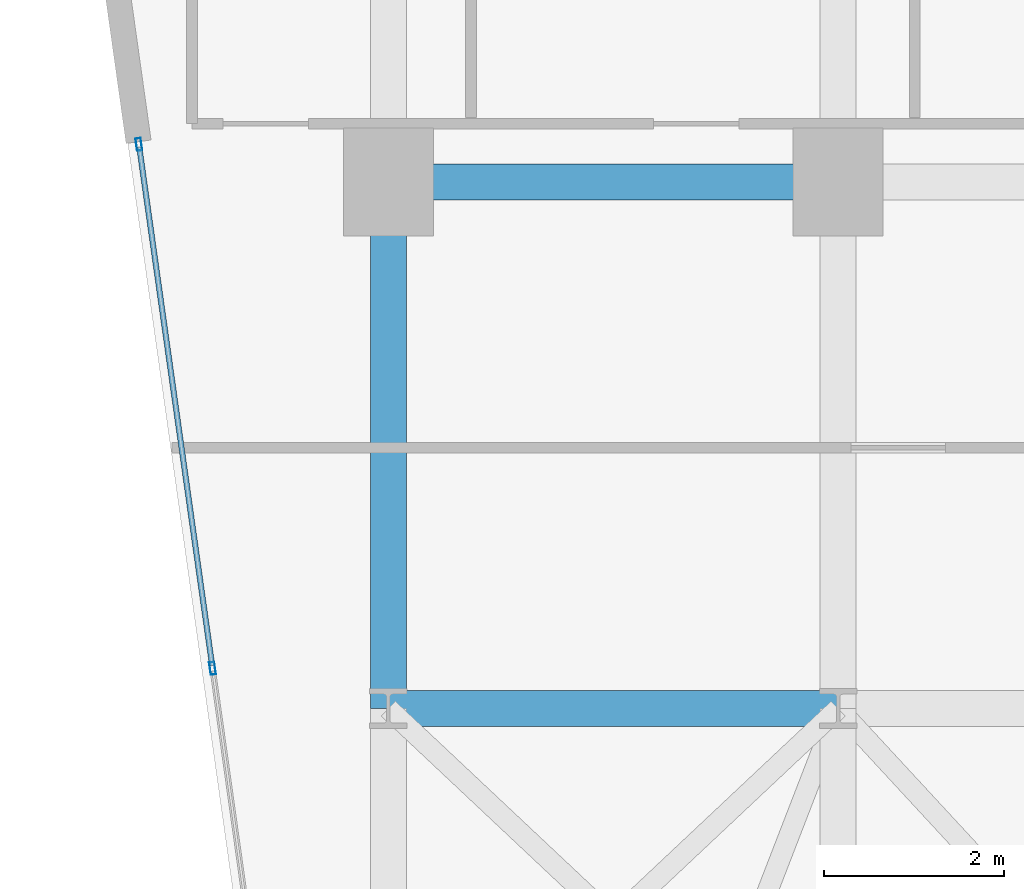
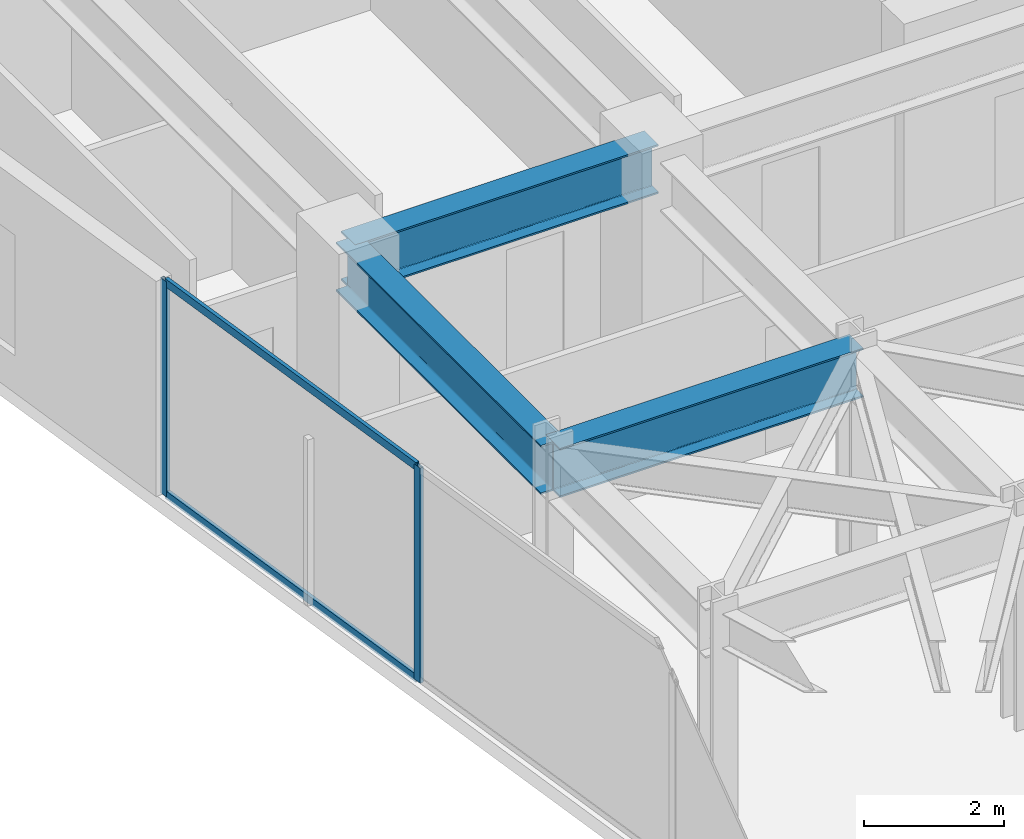
# One storey, part 11 of 26: 4 members, 3 beams, 1 element without a shape of its own.
"""IFC4 building model written with IfcOpenShell, lengths in metres."""

import ifcopenshell
import ifcopenshell.guid

model = None  # the IFC model being written
_history = None  # IfcOwnerHistory: only IFC2X3 demands one
_inside = {}  # id of a spatial element -> (the spatial element, [elements in it])
_under = {}  # id of a project, library or spatial element -> (it, [spatial elements below it])
_declared = {}  # id of a project -> (the project, [libraries it declares])
_typed = {}  # id of a type object -> (the type object, [elements of that type])
_made_of = {}  # id of a material, layer set ... -> (it, [elements and type objects made of it])


def new_model(schema):
    """Start an empty IFC model of exactly this schema.

    Asked for "IFC4X3", IfcOpenShell would pick the latest addendum, in which some entities
    have other attributes; the version numbers below select the first issue.
    IFC2X3 requires an IfcOwnerHistory on every rooted entity: one is made here for all.
    """
    global model, _history
    if schema == "IFC4X3":
        model = ifcopenshell.file(schema_version=(4, 3, 0, 0))
    else:
        model = ifcopenshell.file(schema=schema)
    _inside.clear()
    _under.clear()
    _declared.clear()
    _typed.clear()
    _made_of.clear()
    _history = None
    if model.schema == "IFC2X3":
        org = make("IfcOrganization", Name="unknown")
        user = make(
            "IfcPersonAndOrganization",
            ThePerson=make("IfcPerson", FamilyName="unknown"),
            TheOrganization=org,
        )
        app = make(
            "IfcApplication",
            ApplicationDeveloper=org,
            Version="unknown",
            ApplicationFullName="unknown",
            ApplicationIdentifier="unknown",
        )
        _history = make(
            "IfcOwnerHistory",
            OwningUser=user,
            OwningApplication=app,
            ChangeAction="ADDED",
            CreationDate=0,
        )
    return model


def make(cls, **values):
    """One entity of the class cls with the attributes given. An attribute that is None is left unset."""
    return model.create_entity(
        cls, **{name: value for name, value in values.items() if value is not None}
    )


def rooted(cls, **values):
    """An entity with a GlobalId (a new one), such as an element, a storey or a relation."""
    return make(cls, GlobalId=ifcopenshell.guid.new(), OwnerHistory=_history, **values)


def si_unit(unit_type, name, prefix=None):
    """IfcSIUnit, for example si_unit("LENGTHUNIT", "METRE", prefix="MILLI")."""
    return make("IfcSIUnit", UnitType=unit_type, Prefix=prefix, Name=name)


def assignment(units):
    """IfcUnitAssignment: the units of a project."""
    return None if units is None else make("IfcUnitAssignment", Units=units)


def point(xyz):
    """IfcCartesianPoint."""
    return None if xyz is None else make("IfcCartesianPoint", Coordinates=xyz)


def direction(xyz):
    """IfcDirection."""
    return None if xyz is None else make("IfcDirection", DirectionRatios=xyz)


def frame(location, z_axis=None, x_axis=None):
    """IfcAxis2Placement3D, a coordinate frame: its origin and axes. An axis left out is left unset."""
    return make(
        "IfcAxis2Placement3D",
        Location=point(location),
        Axis=direction(z_axis),
        RefDirection=direction(x_axis),
    )


def frame_2d(location, x_axis=None):
    """IfcAxis2Placement2D, a coordinate frame in the plane: its origin and x axis."""
    return make(
        "IfcAxis2Placement2D", Location=point(location), RefDirection=direction(x_axis)
    )


def origin():
    """The frame at (0, 0, 0) with its axes left unset."""
    return frame((0.0, 0.0, 0.0))


def origin_2d():
    """The frame at (0, 0) in the plane with its x axis left unset."""
    return frame_2d((0.0, 0.0))


def place(relative_to, where):
    """IfcLocalPlacement: puts the frame where relative to a parent placement (None: the world)."""
    return make(
        "IfcLocalPlacement", PlacementRelTo=relative_to, RelativePlacement=where
    )


def context(
    kind, dimensions, precision=None, world=None, true_north=None, identifier=None
):
    """IfcGeometricRepresentationContext, for example the 3D "Model" context."""
    return make(
        "IfcGeometricRepresentationContext",
        ContextIdentifier=identifier,
        ContextType=kind,
        CoordinateSpaceDimension=dimensions,
        Precision=precision,
        WorldCoordinateSystem=world,
        TrueNorth=true_north,
    )


def subcontext(parent, identifier, kind, view, scale=None):
    """IfcGeometricRepresentationSubContext, for example "Body" below "Model"."""
    return make(
        "IfcGeometricRepresentationSubContext",
        ContextIdentifier=identifier,
        ContextType=kind,
        ParentContext=parent,
        TargetScale=scale,
        TargetView=view,
    )


def project(units=None, contexts=None):
    """IfcProject with its units and contexts."""
    return rooted(
        "IfcProject",
        Name="project",
        RepresentationContexts=contexts,
        UnitsInContext=assignment(units),
    )


def spatial(cls, under=None, at=None, **own):
    """A site, building, storey or space (cls), placed at a placement, below another one or the project."""
    s = rooted(cls, ObjectPlacement=at, **own)
    if under is not None:
        _under.setdefault(under.id(), (under, []))[1].append(s)
    return s


def profile(cls, at=None, kind="AREA", **sizes):
    """A parametric profile (cls). Its sizes go by their IFC names, for example OverallWidth=200.0."""
    return make(cls, ProfileType=kind, Position=at, **sizes)


def hollow_rectangle(**sizes):
    """IfcRectangleHollowProfileDef."""
    return profile("IfcRectangleHollowProfileDef", **sizes)


def i_section(**sizes):
    """IfcIShapeProfileDef."""
    return profile("IfcIShapeProfileDef", **sizes)


def extrude(swept, where, along, depth):
    """IfcExtrudedAreaSolid: the profile swept, set in the frame where, extruded along a direction by depth."""
    return make(
        "IfcExtrudedAreaSolid",
        SweptArea=swept,
        Position=where,
        ExtrudedDirection=direction(along),
        Depth=depth,
    )


def shape(context_of_items, identifier, shape_type, items):
    """IfcShapeRepresentation: the items that make up one representation, for example the "Body"."""
    return make(
        "IfcShapeRepresentation",
        ContextOfItems=context_of_items,
        RepresentationIdentifier=identifier,
        RepresentationType=shape_type,
        Items=items,
    )


def material(Name=None, Category=None):
    """IfcMaterial."""
    return make("IfcMaterial", Name=Name, Category=Category)


def layer(
    of_material, thickness, ventilated=None, Name=None, Category=None, Priority=None
):
    """IfcMaterialLayer: one layer of a wall or slab, of a material (None: an air gap)."""
    return make(
        "IfcMaterialLayer",
        Material=of_material,
        LayerThickness=thickness,
        IsVentilated=ventilated,
        Name=Name,
        Category=Category,
        Priority=Priority,
    )


def layer_set(layers, Name=None):
    """IfcMaterialLayerSet."""
    return make("IfcMaterialLayerSet", MaterialLayers=layers, LayerSetName=Name)


def material_profile(
    of_material, cross_section, Name=None, Category=None, Priority=None
):
    """IfcMaterialProfile: a cross section and its material."""
    return make(
        "IfcMaterialProfile",
        Name=Name,
        Material=of_material,
        Profile=cross_section,
        Priority=Priority,
        Category=Category,
    )


def profile_set(profiles, Name=None, composite=None):
    """IfcMaterialProfileSet."""
    return make(
        "IfcMaterialProfileSet",
        Name=Name,
        MaterialProfiles=profiles,
        CompositeProfile=composite,
    )


def made_of(thing, what):
    """Note that an element or type object is made of a material, layer set ...; save() writes the relation."""
    if what is not None:
        _made_of.setdefault(what.id(), (what, []))[1].append(thing)
    return thing


def type_object(cls, material=None, **own):
    """A type object (cls), such as IfcWallType, which elements share."""
    return made_of(rooted(cls, **own), material)


def element(
    cls,
    number,
    at=None,
    inside=None,
    cuts=None,
    type_object=None,
    material=None,
    context=None,
    identifier="Body",
    shape_type=None,
    held_by="IfcProductDefinitionShape",
    body=None,
    shapes=None,
    **own,
):
    """One element of the class cls, such as IfcWall. Its Tag is "e" and its number.

    at: its placement. inside: the storey or other place that contains it. cuts: it is an
    opening in that element (IfcRelVoidsElement). A single representation is given by context,
    identifier, shape_type and body (its items); several are given by shapes. held_by: the class
    of the entity that holds the representations. save() writes the other relations.
    """
    e = rooted(cls, Tag="e%d" % number, ObjectPlacement=at, **own)
    if body is not None:
        shapes = [shape(context, identifier, shape_type, body)]
    if shapes is not None:
        e.Representation = make(held_by, Representations=shapes)
    if inside is not None:
        _inside.setdefault(inside.id(), (inside, []))[1].append(e)
    if cuts is not None:
        rooted(
            "IfcRelVoidsElement", RelatingBuildingElement=cuts, RelatedOpeningElement=e
        )
    if type_object is not None:
        _typed.setdefault(type_object.id(), (type_object, []))[1].append(e)
    return made_of(e, material)


def aggregate(whole, parts):
    """IfcRelAggregates: a whole, such as a stair, and the parts it consists of."""
    return rooted("IfcRelAggregates", RelatingObject=whole, RelatedObjects=parts)


def save(model, path):
    """Write the relations noted so far, then the file.

    IfcRelAggregates (storeys below a building ...), IfcRelContainedInSpatialStructure (elements
    in a storey), IfcRelDefinesByType, IfcRelAssociatesMaterial and IfcRelDeclares: one each for
    every whole, place, type object, material and project.
    """
    for whole, parts in _under.values():
        aggregate(whole, parts)
    for where, things in _inside.values():
        rooted(
            "IfcRelContainedInSpatialStructure",
            RelatedElements=things,
            RelatingStructure=where,
        )
    for kind, things in _typed.values():
        rooted("IfcRelDefinesByType", RelatedObjects=things, RelatingType=kind)
    for what, things in _made_of.values():
        rooted("IfcRelAssociatesMaterial", RelatedObjects=things, RelatingMaterial=what)
    for by, libraries in _declared.values():
        rooted("IfcRelDeclares", RelatingContext=by, RelatedDefinitions=libraries)
    model.write(path)


model = new_model("IFC4")

# Units and contexts
model_context = context("Model", 3, precision=1e-05, world=origin(), true_north=direction((0.0, 1.0)))
body_context = subcontext(model_context, "Body", "Model", "MODEL_VIEW")
ifc_project = project(units=[si_unit("LENGTHUNIT", "METRE"), si_unit("AREAUNIT", "SQUARE_METRE"), si_unit("VOLUMEUNIT", "CUBIC_METRE"), si_unit("PLANEANGLEUNIT", "RADIAN"), si_unit("MASSUNIT", "GRAM", prefix="KILO")], contexts=[model_context])

# Site, building, storey
site_placement = place(None, origin())
site = spatial("IfcSite", under=ifc_project, at=site_placement, CompositionType="ELEMENT")
building_placement = place(site_placement, origin())
building = spatial("IfcBuilding", under=site, at=building_placement, Name="Kravanh Interchange Tower", CompositionType="ELEMENT")
storey_placement = place(building_placement, frame((0.0, 0.0, 148.0)))
storey = spatial("IfcBuildingStorey", under=building, at=storey_placement, Name="L35", CompositionType="ELEMENT", Elevation=148.0)

# Curtain wall, members
ifc_material_1 = material(Name="Anodised Bronze Aluminium", Category="aluminium")
ifc_layer = layer(ifc_material_1, 0.179931640625)
ifc_layer_set = layer_set([ifc_layer], Name="Unitised Curtain Wall System CW-Z2 Mid Office")
curtain_wall_type = type_object("IfcCurtainWallType", Name="Unitised Curtain Wall System CW-Z2 Mid Office", PredefinedType="NOTDEFINED", material=ifc_layer_set)
curtain_wall_placement = place(storey_placement, origin())
curtain_wall = element("IfcCurtainWall", 1, at=curtain_wall_placement, inside=storey, type_object=curtain_wall_type, Name="L35 Unitised Curtain Wall CW-L35-01", PredefinedType="NOTDEFINED")
ifc_material_2 = material(Name="Anodised Bronze Aluminium", Category="aluminium")
ifc_material_profile_1 = material_profile(ifc_material_2, hollow_rectangle(XDim=0.06005859375, YDim=0.139892578125, WallThickness=0.00390625, at=origin_2d()), Name="ALU60X140X4")
ifc_profile_set_1 = profile_set([ifc_material_profile_1], Name="Anodised Bronze Aluminium")
member_type_1 = type_object("IfcMemberType", Name="Curtain Wall Mullion ALU60X140X4 Bronze", PredefinedType="MULLION", material=ifc_profile_set_1)
member_1_placement = place(storey_placement, frame((11.6474609375, 31.94775390625, 0.0), z_axis=(0.0, 0.0, 1.0), x_axis=(-0.990268103846, -0.13917285118, 0.0)))
member_1 = element("IfcMember", 2, at=member_1_placement, type_object=member_type_1, Name="CW-Z2 mullion 5", PredefinedType="MULLION", context=body_context, shape_type="SweptSolid", body=[
    extrude(hollow_rectangle(XDim=0.06005859375, YDim=0.139892578125, WallThickness=0.00390625, at=origin_2d()), origin(), (0.0, 0.0, 1.0), 3.75),
])
member_2_placement = place(storey_placement, frame((10.8291015625, 37.770263671875, 0.0), z_axis=(0.0, 0.0, 1.0), x_axis=(-0.990268103846, -0.13917285118, 0.0)))
member_2 = element("IfcMember", 3, at=member_2_placement, type_object=member_type_1, Name="CW-Z2 mullion 6", PredefinedType="MULLION", context=body_context, shape_type="SweptSolid", body=[
    extrude(hollow_rectangle(XDim=0.06005859375, YDim=0.139892578125, WallThickness=0.00390625, at=origin_2d()), origin(), (0.0, 0.0, 1.0), 3.75),
])
ifc_material_3 = material(Name="Anodised Bronze Aluminium", Category="aluminium")
ifc_material_profile_2 = material_profile(ifc_material_3, hollow_rectangle(XDim=0.06005859375, YDim=0.139892578125, WallThickness=0.00390625, at=origin_2d()), Name="ALU60X140X4")
ifc_profile_set_2 = profile_set([ifc_material_profile_2], Name="Anodised Bronze Aluminium")
member_type_2 = type_object("IfcMemberType", Name="Curtain Wall Transom ALU60X140X4 Bronze", PredefinedType="USERDEFINED", material=ifc_profile_set_2)
member_3_placement = place(storey_placement, frame((11.643310546875, 31.9775390625, 0.030029296875), z_axis=(-0.139195052528, 0.990264983402, 0.0), x_axis=(-0.990264983402, -0.139195052528, 0.0)))
member_3 = element("IfcMember", 4, at=member_3_placement, type_object=member_type_2, Name="CW-Z2 transom 5.1", ObjectType="TRANSOM", PredefinedType="USERDEFINED", context=body_context, shape_type="SweptSolid", body=[
    extrude(hollow_rectangle(XDim=0.06005859375, YDim=0.139892578125, WallThickness=0.00390625, at=origin_2d()), origin(), (0.0, 0.0, 1.0), 5.819580078125),
])
member_4_placement = place(storey_placement, frame((11.643310546875, 31.9775390625, 3.719970703125), z_axis=(-0.139195052528, 0.990264983402, 0.0), x_axis=(-0.990264983402, -0.139195052528, 0.0)))
member_4 = element("IfcMember", 5, at=member_4_placement, type_object=member_type_2, Name="CW-Z2 transom 5.2", ObjectType="TRANSOM", PredefinedType="USERDEFINED", context=body_context, shape_type="SweptSolid", body=[
    extrude(hollow_rectangle(XDim=0.06005859375, YDim=0.139892578125, WallThickness=0.00390625, at=origin_2d()), origin(), (0.0, 0.0, 1.0), 5.819580078125),
])
aggregate(curtain_wall, [member_1, member_2, member_3, member_4])

# Beams
ifc_material_4 = material(Name="Structural Steel S355", Category="steel")
ifc_material_profile_3 = material_profile(ifc_material_4, i_section(OverallWidth=0.39990234375, OverallDepth=0.85595703125, WebThickness=0.018310546875, FlangeThickness=0.029296875, FilletRadius=0.02490234375, at=origin_2d()), Name="W33X201")
ifc_profile_set_3 = profile_set([ifc_material_profile_3], Name="Structural Steel S355")
beam_type = type_object("IfcBeamType", Name="Floor Beam W33X201 Structural Steel S355", PredefinedType="BEAM", material=ifc_profile_set_3)
beam_1_placement = place(storey_placement, frame((18.60009765625, 37.35009765625, 3.322021484375), z_axis=(-1.0, 0.0, 0.0), x_axis=(0.0, -1.0, 0.0)))
element("IfcBeam", 6, at=beam_1_placement, inside=storey, type_object=beam_type, Name="L35 Primary Floor Girder 28", PredefinedType="BEAM", context=body_context, shape_type="SweptSolid", body=[
    extrude(i_section(OverallWidth=0.39990234375, OverallDepth=0.85595703125, WebThickness=0.018310546875, FlangeThickness=0.029296875, FilletRadius=0.02490234375, at=origin_2d()), origin(), (0.0, 0.0, 1.0), 5.0),
])
beam_2_placement = place(storey_placement, frame((13.60009765625, 37.35009765625, 3.322021484375), z_axis=(0.0, -1.0, 0.0), x_axis=(1.0, 0.0, 0.0)))
element("IfcBeam", 7, at=beam_2_placement, inside=storey, type_object=beam_type, Name="L35 Primary Floor Girder 32", PredefinedType="BEAM", context=body_context, shape_type="SweptSolid", body=[
    extrude(i_section(OverallWidth=0.39990234375, OverallDepth=0.85595703125, WebThickness=0.018310546875, FlangeThickness=0.029296875, FilletRadius=0.02490234375, at=origin_2d()), origin(), (0.0, 0.0, 1.0), 5.85009765625),
])
beam_3_placement = place(storey_placement, frame((13.60009765625, 31.5, 3.322021484375), z_axis=(1.0, 0.0, 0.0), x_axis=(0.0, 1.0, 0.0)))
element("IfcBeam", 8, at=beam_3_placement, inside=storey, type_object=beam_type, Name="L35 Primary Floor Girder 69", PredefinedType="BEAM", context=body_context, shape_type="SweptSolid", body=[
    extrude(i_section(OverallWidth=0.39990234375, OverallDepth=0.85595703125, WebThickness=0.018310546875, FlangeThickness=0.029296875, FilletRadius=0.02490234375, at=origin_2d()), origin(), (0.0, 0.0, 1.0), 5.0),
])

save(model, "model.ifc")
